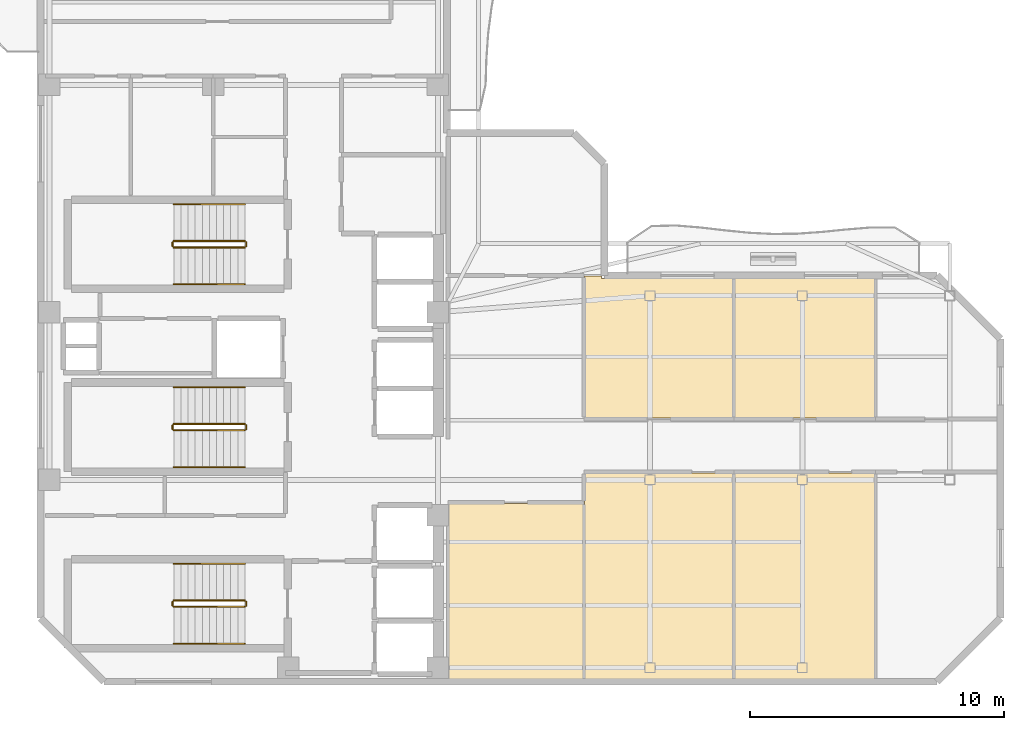
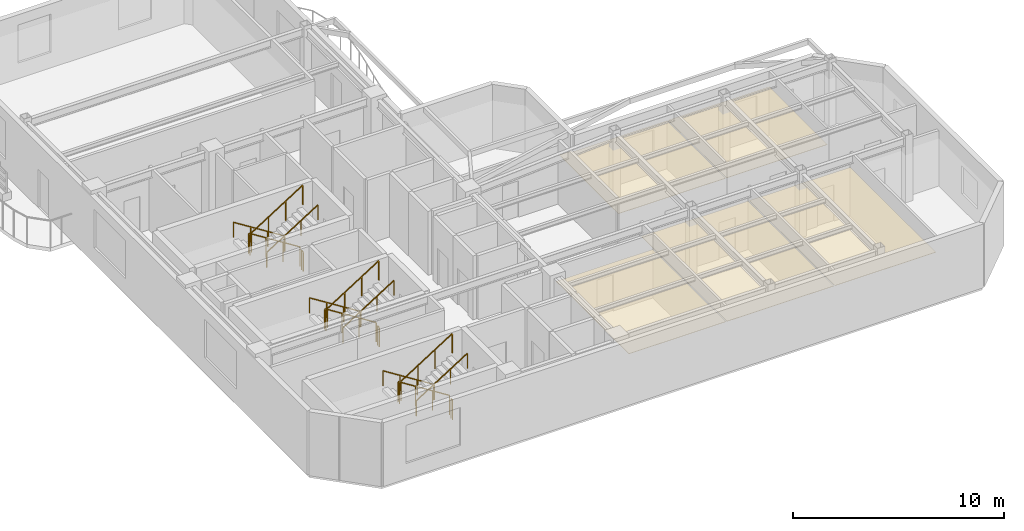
# One storey, part 6 of 7: 18 railings, 5 coverings.
"""IFC4 building model written with IfcOpenShell, lengths in metres."""

from ifc_helpers import new_model, si_unit, direction, frame, origin, origin_2d, place, context, subcontext, project, spatial, polyline, rectangle, outline, extrude, material, layer, layer_set, type_object, element, save


model = new_model("IFC4")

# Units and contexts
model_context = context("Model", 3, precision=1e-05, world=origin(), true_north=direction((0.0, 1.0)))
body_context = subcontext(model_context, "Body", "Model", "MODEL_VIEW")
ifc_project = project(units=[si_unit("LENGTHUNIT", "METRE"), si_unit("AREAUNIT", "SQUARE_METRE"), si_unit("VOLUMEUNIT", "CUBIC_METRE"), si_unit("PLANEANGLEUNIT", "RADIAN"), si_unit("MASSUNIT", "GRAM", prefix="KILO")], contexts=[model_context])

# Site, building, storey
site_placement = place(None, origin())
site = spatial("IfcSite", under=ifc_project, at=site_placement, CompositionType="ELEMENT")
building_placement = place(site_placement, origin())
building = spatial("IfcBuilding", under=site, at=building_placement, Name="Mawjaban Terraces University", CompositionType="ELEMENT")
storey_placement = place(building_placement, frame((0.0, 0.0, 291.10009765625)))
storey = spatial("IfcBuildingStorey", under=building, at=storey_placement, Name="L71", CompositionType="ELEMENT", Elevation=291.10009765625)

# Coverings
ifc_material_1 = material(Name="Acoustic mineral fibre ceiling tile", Category="masonry")
ifc_layer = layer(ifc_material_1, 0.02001953125)
ifc_layer_set = layer_set([ifc_layer], Name="Acoustic mineral fibre ceiling tile")
covering_type = type_object("IfcCoveringType", Name="AcousticMineralCeiling_20", PredefinedType="CEILING", material=ifc_layer_set)
covering_1_placement = place(storey_placement, frame((0.0, 0.0, 2.75)))
element("IfcCovering", 1, at=covering_1_placement, inside=storey, type_object=covering_type, Name="L71 Collaborative Study Room 1 Acoustic Ceiling", PredefinedType="CEILING", context=body_context, shape_type="SweptSolid", body=[
    extrude(outline(polyline([(38.080078125, 7.02001953125), (38.080078125, 0.114990234375), (43.3701171875, 0.114990234375), (43.3701171875, 7.02001953125), (38.080078125, 7.02001953125)])), origin(), (0.0, 0.0, 1.0), 0.02001953125),
])
covering_2_placement = place(storey_placement, frame((0.0, 0.0, 2.75)))
element("IfcCovering", 2, at=covering_2_placement, inside=storey, type_object=covering_type, Name="L71 Graduate Study Lounge 2 Acoustic Ceiling", PredefinedType="CEILING", context=body_context, shape_type="SweptSolid", body=[
    extrude(outline(polyline([(43.429931640625, 0.114990234375), (49.27392578125, 0.114990234375), (49.27392578125, 8.219970703125), (43.429931640625, 8.219970703125), (43.429931640625, 0.114990234375)])), origin(), (0.0, 0.0, 1.0), 0.02001953125),
])
covering_3_placement = place(storey_placement, frame((0.0, 0.0, 2.75)))
element("IfcCovering", 3, at=covering_3_placement, inside=storey, type_object=covering_type, Name="L71 Collaborative Study Room 3 Acoustic Ceiling", PredefinedType="CEILING", context=body_context, shape_type="SweptSolid", body=[
    extrude(outline(polyline([(49.27392578125, 15.885009765625), (44.0849609375, 15.885009765625), (44.0849609375, 15.969970703125), (43.429931640625, 15.969970703125), (43.429931640625, 10.3798828125), (49.27392578125, 10.3798828125), (49.27392578125, 15.885009765625)])), origin(), (0.0, 0.0, 1.0), 0.02001953125),
])
covering_4_placement = place(storey_placement, frame((0.0, 0.0, 2.75)))
element("IfcCovering", 4, at=covering_4_placement, inside=storey, type_object=covering_type, Name="L71 Graduate Study Lounge 4 Acoustic Ceiling", PredefinedType="CEILING", context=body_context, shape_type="SweptSolid", body=[
    extrude(outline(polyline([(49.333984375, 0.114990234375), (54.85009765625, 0.114990234375), (54.85009765625, 8.219970703125), (49.333984375, 8.219970703125), (49.333984375, 0.114990234375)])), origin(), (0.0, 0.0, 1.0), 0.02001953125),
])
covering_5_placement = place(storey_placement, frame((0.0, 0.0, 2.75)))
element("IfcCovering", 5, at=covering_5_placement, inside=storey, type_object=covering_type, Name="L71 Collaborative Study Room 5 Acoustic Ceiling", PredefinedType="CEILING", context=body_context, shape_type="SweptSolid", body=[
    extrude(outline(polyline([(54.85009765625, 15.885009765625), (49.333984375, 15.885009765625), (49.333984375, 10.3798828125), (54.85009765625, 10.3798828125), (54.85009765625, 15.885009765625)])), origin(), (0.0, 0.0, 1.0), 0.02001953125),
])

# Railings
ifc_material_2 = material(Name="Brushed stainless steel 316", Category="steel")
railing_type_1 = type_object("IfcRailingType", Name="StairWallHandrail_900", PredefinedType="HANDRAIL", material=ifc_material_2)
railing_1_placement = place(storey_placement, frame((30.050048828125, 4.64990234375, 0.17724609375)))
element("IfcRailing", 6, at=railing_1_placement, inside=storey, type_object=railing_type_1, Name="L71 ST-1 stair handrail 1", PredefinedType="HANDRAIL", context=body_context, shape_type="SweptSolid", body=[
    extrude(rectangle(XDim=0.048095703125, YDim=0.048095703125, at=origin_2d()), frame((0.0, 0.0, 0.8759765625), z_axis=(-0.844908973607, 0.0, 0.534910110503), x_axis=(0.0, -1.0, 0.0)), (0.0, 0.0, 1.0), 3.31396484375),
    extrude(rectangle(XDim=0.0419921875, YDim=0.0419921875, at=origin_2d()), origin(), (0.0, 0.0, 1.0), 0.851806640625),
    extrude(rectangle(XDim=0.0419921875, YDim=0.0419921875, at=origin_2d()), frame((-0.933349609375, 0.0, 0.5908203125)), (0.0, 0.0, 1.0), 0.851806640625),
    extrude(rectangle(XDim=0.0419921875, YDim=0.0419921875, at=origin_2d()), frame((-1.86669921875, 0.0, 1.181884765625)), (0.0, 0.0, 1.0), 0.851806640625),
    extrude(rectangle(XDim=0.0419921875, YDim=0.0419921875, at=origin_2d()), frame((-2.800048828125, 0.0, 1.772705078125)), (0.0, 0.0, 1.0), 0.851806640625),
])
railing_2_placement = place(storey_placement, frame((27.25, 1.5, 2.127197265625)))
element("IfcRailing", 7, at=railing_2_placement, inside=storey, type_object=railing_type_1, Name="L71 ST-1 stair handrail 2", PredefinedType="HANDRAIL", context=body_context, shape_type="SweptSolid", body=[
    extrude(rectangle(XDim=0.048095703125, YDim=0.048095703125, at=origin_2d()), frame((0.0, 0.0, 0.8759765625), z_axis=(0.844908973607, 0.0, 0.534910110503), x_axis=(0.0, 1.0, 0.0)), (0.0, 0.0, 1.0), 3.31396484375),
    extrude(rectangle(XDim=0.0419921875, YDim=0.0419921875, at=origin_2d()), origin(), (0.0, 0.0, 1.0), 0.851806640625),
    extrude(rectangle(XDim=0.0419921875, YDim=0.0419921875, at=origin_2d()), frame((0.933349609375, 0.0, 0.5908203125)), (0.0, 0.0, 1.0), 0.851806640625),
    extrude(rectangle(XDim=0.0419921875, YDim=0.0419921875, at=origin_2d()), frame((1.86669921875, 0.0, 1.181884765625)), (0.0, 0.0, 1.0), 0.851806640625),
    extrude(rectangle(XDim=0.0419921875, YDim=0.0419921875, at=origin_2d()), frame((2.800048828125, 0.0, 1.772705078125)), (0.0, 0.0, 1.0), 0.851806640625),
])
railing_3_placement = place(storey_placement, frame((30.050048828125, 18.800048828125, 0.17724609375)))
element("IfcRailing", 8, at=railing_3_placement, inside=storey, type_object=railing_type_1, Name="L71 ST-2 stair handrail 1", PredefinedType="HANDRAIL", context=body_context, shape_type="SweptSolid", body=[
    extrude(rectangle(XDim=0.048095703125, YDim=0.048095703125, at=origin_2d()), frame((0.0, 0.0, 0.8759765625), z_axis=(-0.844908973607, 0.0, 0.534910110503), x_axis=(0.0, -1.0, 0.0)), (0.0, 0.0, 1.0), 3.31396484375),
    extrude(rectangle(XDim=0.0419921875, YDim=0.0419921875, at=origin_2d()), origin(), (0.0, 0.0, 1.0), 0.851806640625),
    extrude(rectangle(XDim=0.0419921875, YDim=0.0419921875, at=origin_2d()), frame((-0.933349609375, 0.0, 0.5908203125)), (0.0, 0.0, 1.0), 0.851806640625),
    extrude(rectangle(XDim=0.0419921875, YDim=0.0419921875, at=origin_2d()), frame((-1.86669921875, 0.0, 1.181884765625)), (0.0, 0.0, 1.0), 0.851806640625),
    extrude(rectangle(XDim=0.0419921875, YDim=0.0419921875, at=origin_2d()), frame((-2.800048828125, 0.0, 1.772705078125)), (0.0, 0.0, 1.0), 0.851806640625),
])
railing_4_placement = place(storey_placement, frame((27.25, 15.64990234375, 2.127197265625)))
element("IfcRailing", 9, at=railing_4_placement, inside=storey, type_object=railing_type_1, Name="L71 ST-2 stair handrail 2", PredefinedType="HANDRAIL", context=body_context, shape_type="SweptSolid", body=[
    extrude(rectangle(XDim=0.048095703125, YDim=0.048095703125, at=origin_2d()), frame((0.0, 0.0, 0.8759765625), z_axis=(0.844908973607, 0.0, 0.534910110503), x_axis=(0.0, 1.0, 0.0)), (0.0, 0.0, 1.0), 3.31396484375),
    extrude(rectangle(XDim=0.0419921875, YDim=0.0419921875, at=origin_2d()), origin(), (0.0, 0.0, 1.0), 0.851806640625),
    extrude(rectangle(XDim=0.0419921875, YDim=0.0419921875, at=origin_2d()), frame((0.933349609375, 0.0, 0.5908203125)), (0.0, 0.0, 1.0), 0.851806640625),
    extrude(rectangle(XDim=0.0419921875, YDim=0.0419921875, at=origin_2d()), frame((1.86669921875, 0.0, 1.181884765625)), (0.0, 0.0, 1.0), 0.851806640625),
    extrude(rectangle(XDim=0.0419921875, YDim=0.0419921875, at=origin_2d()), frame((2.800048828125, 0.0, 1.772705078125)), (0.0, 0.0, 1.0), 0.851806640625),
])
railing_5_placement = place(storey_placement, frame((30.050048828125, 11.60009765625, 0.17724609375)))
element("IfcRailing", 10, at=railing_5_placement, inside=storey, type_object=railing_type_1, Name="L71 ST-3 stair handrail 1", PredefinedType="HANDRAIL", context=body_context, shape_type="SweptSolid", body=[
    extrude(rectangle(XDim=0.048095703125, YDim=0.048095703125, at=origin_2d()), frame((0.0, 0.0, 0.8759765625), z_axis=(-0.844908973607, 0.0, 0.534910110503), x_axis=(0.0, -1.0, 0.0)), (0.0, 0.0, 1.0), 3.31396484375),
    extrude(rectangle(XDim=0.0419921875, YDim=0.0419921875, at=origin_2d()), origin(), (0.0, 0.0, 1.0), 0.851806640625),
    extrude(rectangle(XDim=0.0419921875, YDim=0.0419921875, at=origin_2d()), frame((-0.933349609375, 0.0, 0.5908203125)), (0.0, 0.0, 1.0), 0.851806640625),
    extrude(rectangle(XDim=0.0419921875, YDim=0.0419921875, at=origin_2d()), frame((-1.86669921875, 0.0, 1.181884765625)), (0.0, 0.0, 1.0), 0.851806640625),
    extrude(rectangle(XDim=0.0419921875, YDim=0.0419921875, at=origin_2d()), frame((-2.800048828125, 0.0, 1.772705078125)), (0.0, 0.0, 1.0), 0.851806640625),
])
railing_6_placement = place(storey_placement, frame((27.25, 8.449951171875, 2.127197265625)))
element("IfcRailing", 11, at=railing_6_placement, inside=storey, type_object=railing_type_1, Name="L71 ST-3 stair handrail 2", PredefinedType="HANDRAIL", context=body_context, shape_type="SweptSolid", body=[
    extrude(rectangle(XDim=0.048095703125, YDim=0.048095703125, at=origin_2d()), frame((0.0, 0.0, 0.8759765625), z_axis=(0.844908973607, 0.0, 0.534910110503), x_axis=(0.0, 1.0, 0.0)), (0.0, 0.0, 1.0), 3.31396484375),
    extrude(rectangle(XDim=0.0419921875, YDim=0.0419921875, at=origin_2d()), origin(), (0.0, 0.0, 1.0), 0.851806640625),
    extrude(rectangle(XDim=0.0419921875, YDim=0.0419921875, at=origin_2d()), frame((0.933349609375, 0.0, 0.5908203125)), (0.0, 0.0, 1.0), 0.851806640625),
    extrude(rectangle(XDim=0.0419921875, YDim=0.0419921875, at=origin_2d()), frame((1.86669921875, 0.0, 1.181884765625)), (0.0, 0.0, 1.0), 0.851806640625),
    extrude(rectangle(XDim=0.0419921875, YDim=0.0419921875, at=origin_2d()), frame((2.800048828125, 0.0, 1.772705078125)), (0.0, 0.0, 1.0), 0.851806640625),
])
ifc_material_3 = material(Name="Galvanised painted steel S355", Category="steel")
railing_type_2 = type_object("IfcRailingType", Name="StairWellGuard_1150", PredefinedType="BALUSTRADE", material=ifc_material_3)
railing_7_placement = place(storey_placement, frame((30.050048828125, 3.199951171875, 0.17724609375)))
element("IfcRailing", 12, at=railing_7_placement, inside=storey, type_object=railing_type_2, Name="L71 ST-1 stair guard 1", PredefinedType="BALUSTRADE", context=body_context, shape_type="SweptSolid", body=[
    extrude(rectangle(XDim=0.048095703125, YDim=0.048095703125, at=origin_2d()), frame((0.0, 0.0, 1.1259765625), z_axis=(-0.844908973607, 0.0, 0.534910110503), x_axis=(0.0, -1.0, 0.0)), (0.0, 0.0, 1.0), 3.31396484375),
    extrude(rectangle(XDim=0.0419921875, YDim=0.0419921875, at=origin_2d()), origin(), (0.0, 0.0, 1.0), 1.101806640625),
    extrude(rectangle(XDim=0.0419921875, YDim=0.0419921875, at=origin_2d()), frame((-0.933349609375, 0.0, 0.5908203125)), (0.0, 0.0, 1.0), 1.101806640625),
    extrude(rectangle(XDim=0.0419921875, YDim=0.0419921875, at=origin_2d()), frame((-1.86669921875, 0.0, 1.181884765625)), (0.0, 0.0, 1.0), 1.101806640625),
    extrude(rectangle(XDim=0.0419921875, YDim=0.0419921875, at=origin_2d()), frame((-2.800048828125, 0.0, 1.772705078125)), (0.0, 0.0, 1.0), 1.101806640625),
])
railing_8_placement = place(storey_placement, frame((27.199951171875, 3.14990234375, 1.949951171875)))
element("IfcRailing", 13, at=railing_8_placement, inside=storey, type_object=railing_type_2, Name="L71 ST-1 stair guard 2", PredefinedType="BALUSTRADE", context=body_context, shape_type="SweptSolid", body=[
    extrude(rectangle(XDim=0.048095703125, YDim=0.048095703125, at=origin_2d()), frame((0.0, 0.0, 1.1259765625), z_axis=(0.0, -1.0, 0.0), x_axis=(1.0, 0.0, 0.0)), (0.0, 0.0, 1.0), 0.14990234375),
    extrude(rectangle(XDim=0.0419921875, YDim=0.0419921875, at=origin_2d()), origin(), (0.0, 0.0, 1.0), 1.101806640625),
    extrude(rectangle(XDim=0.0419921875, YDim=0.0419921875, at=origin_2d()), frame((0.0, -0.14990234375, 0.0)), (0.0, 0.0, 1.0), 1.101806640625),
])
railing_9_placement = place(storey_placement, frame((27.25, 2.949951171875, 2.127197265625)))
element("IfcRailing", 14, at=railing_9_placement, inside=storey, type_object=railing_type_2, Name="L71 ST-1 stair guard 3", PredefinedType="BALUSTRADE", context=body_context, shape_type="SweptSolid", body=[
    extrude(rectangle(XDim=0.048095703125, YDim=0.048095703125, at=origin_2d()), frame((0.0, 0.0, 1.1259765625), z_axis=(0.844908973607, 0.0, 0.534910110503), x_axis=(0.0, 1.0, 0.0)), (0.0, 0.0, 1.0), 3.31396484375),
    extrude(rectangle(XDim=0.0419921875, YDim=0.0419921875, at=origin_2d()), origin(), (0.0, 0.0, 1.0), 1.101806640625),
    extrude(rectangle(XDim=0.0419921875, YDim=0.0419921875, at=origin_2d()), frame((0.933349609375, 0.0, 0.5908203125)), (0.0, 0.0, 1.0), 1.101806640625),
    extrude(rectangle(XDim=0.0419921875, YDim=0.0419921875, at=origin_2d()), frame((1.86669921875, 0.0, 1.181884765625)), (0.0, 0.0, 1.0), 1.101806640625),
    extrude(rectangle(XDim=0.0419921875, YDim=0.0419921875, at=origin_2d()), frame((2.800048828125, 0.0, 1.772705078125)), (0.0, 0.0, 1.0), 1.101806640625),
])
railing_10_placement = place(storey_placement, frame((30.10009765625, 3.14990234375, 0.0)))
element("IfcRailing", 15, at=railing_10_placement, inside=storey, type_object=railing_type_2, Name="L71 ST-1 stair guard 4", PredefinedType="BALUSTRADE", context=body_context, shape_type="SweptSolid", body=[
    extrude(rectangle(XDim=0.048095703125, YDim=0.048095703125, at=origin_2d()), frame((0.0, 0.0, 1.1259765625), z_axis=(0.0, -1.0, 0.0), x_axis=(1.0, 0.0, 0.0)), (0.0, 0.0, 1.0), 0.14990234375),
    extrude(rectangle(XDim=0.0419921875, YDim=0.0419921875, at=origin_2d()), origin(), (0.0, 0.0, 1.0), 1.101806640625),
    extrude(rectangle(XDim=0.0419921875, YDim=0.0419921875, at=origin_2d()), frame((0.0, -0.14990234375, 0.0)), (0.0, 0.0, 1.0), 1.101806640625),
])
railing_11_placement = place(storey_placement, frame((30.050048828125, 17.35009765625, 0.17724609375)))
element("IfcRailing", 16, at=railing_11_placement, inside=storey, type_object=railing_type_2, Name="L71 ST-2 stair guard 1", PredefinedType="BALUSTRADE", context=body_context, shape_type="SweptSolid", body=[
    extrude(rectangle(XDim=0.048095703125, YDim=0.048095703125, at=origin_2d()), frame((0.0, 0.0, 1.1259765625), z_axis=(-0.844908973607, 0.0, 0.534910110503), x_axis=(0.0, -1.0, 0.0)), (0.0, 0.0, 1.0), 3.31396484375),
    extrude(rectangle(XDim=0.0419921875, YDim=0.0419921875, at=origin_2d()), origin(), (0.0, 0.0, 1.0), 1.101806640625),
    extrude(rectangle(XDim=0.0419921875, YDim=0.0419921875, at=origin_2d()), frame((-0.933349609375, 0.0, 0.5908203125)), (0.0, 0.0, 1.0), 1.101806640625),
    extrude(rectangle(XDim=0.0419921875, YDim=0.0419921875, at=origin_2d()), frame((-1.86669921875, 0.0, 1.181884765625)), (0.0, 0.0, 1.0), 1.101806640625),
    extrude(rectangle(XDim=0.0419921875, YDim=0.0419921875, at=origin_2d()), frame((-2.800048828125, 0.0, 1.772705078125)), (0.0, 0.0, 1.0), 1.101806640625),
])
railing_12_placement = place(storey_placement, frame((27.199951171875, 17.300048828125, 1.949951171875)))
element("IfcRailing", 17, at=railing_12_placement, inside=storey, type_object=railing_type_2, Name="L71 ST-2 stair guard 2", PredefinedType="BALUSTRADE", context=body_context, shape_type="SweptSolid", body=[
    extrude(rectangle(XDim=0.048095703125, YDim=0.048095703125, at=origin_2d()), frame((0.0, 0.0, 1.1259765625), z_axis=(0.0, -1.0, 0.0), x_axis=(1.0, 0.0, 0.0)), (0.0, 0.0, 1.0), 0.150146484375),
    extrude(rectangle(XDim=0.0419921875, YDim=0.0419921875, at=origin_2d()), origin(), (0.0, 0.0, 1.0), 1.101806640625),
    extrude(rectangle(XDim=0.0419921875, YDim=0.0419921875, at=origin_2d()), frame((0.0, -0.150146484375, 0.0)), (0.0, 0.0, 1.0), 1.101806640625),
])
railing_13_placement = place(storey_placement, frame((27.25, 17.10009765625, 2.127197265625)))
element("IfcRailing", 18, at=railing_13_placement, inside=storey, type_object=railing_type_2, Name="L71 ST-2 stair guard 3", PredefinedType="BALUSTRADE", context=body_context, shape_type="SweptSolid", body=[
    extrude(rectangle(XDim=0.048095703125, YDim=0.048095703125, at=origin_2d()), frame((0.0, 0.0, 1.1259765625), z_axis=(0.844908973607, 0.0, 0.534910110503), x_axis=(0.0, 1.0, 0.0)), (0.0, 0.0, 1.0), 3.31396484375),
    extrude(rectangle(XDim=0.0419921875, YDim=0.0419921875, at=origin_2d()), origin(), (0.0, 0.0, 1.0), 1.101806640625),
    extrude(rectangle(XDim=0.0419921875, YDim=0.0419921875, at=origin_2d()), frame((0.933349609375, 0.0, 0.5908203125)), (0.0, 0.0, 1.0), 1.101806640625),
    extrude(rectangle(XDim=0.0419921875, YDim=0.0419921875, at=origin_2d()), frame((1.86669921875, 0.0, 1.181884765625)), (0.0, 0.0, 1.0), 1.101806640625),
    extrude(rectangle(XDim=0.0419921875, YDim=0.0419921875, at=origin_2d()), frame((2.800048828125, 0.0, 1.772705078125)), (0.0, 0.0, 1.0), 1.101806640625),
])
railing_14_placement = place(storey_placement, frame((30.10009765625, 17.300048828125, 0.0)))
element("IfcRailing", 19, at=railing_14_placement, inside=storey, type_object=railing_type_2, Name="L71 ST-2 stair guard 4", PredefinedType="BALUSTRADE", context=body_context, shape_type="SweptSolid", body=[
    extrude(rectangle(XDim=0.048095703125, YDim=0.048095703125, at=origin_2d()), frame((0.0, 0.0, 1.1259765625), z_axis=(0.0, -1.0, 0.0), x_axis=(1.0, 0.0, 0.0)), (0.0, 0.0, 1.0), 0.150146484375),
    extrude(rectangle(XDim=0.0419921875, YDim=0.0419921875, at=origin_2d()), origin(), (0.0, 0.0, 1.0), 1.101806640625),
    extrude(rectangle(XDim=0.0419921875, YDim=0.0419921875, at=origin_2d()), frame((0.0, -0.150146484375, 0.0)), (0.0, 0.0, 1.0), 1.101806640625),
])
railing_15_placement = place(storey_placement, frame((30.050048828125, 10.14990234375, 0.17724609375)))
element("IfcRailing", 20, at=railing_15_placement, inside=storey, type_object=railing_type_2, Name="L71 ST-3 stair guard 1", PredefinedType="BALUSTRADE", context=body_context, shape_type="SweptSolid", body=[
    extrude(rectangle(XDim=0.048095703125, YDim=0.048095703125, at=origin_2d()), frame((0.0, 0.0, 1.1259765625), z_axis=(-0.844908973607, 0.0, 0.534910110503), x_axis=(0.0, -1.0, 0.0)), (0.0, 0.0, 1.0), 3.31396484375),
    extrude(rectangle(XDim=0.0419921875, YDim=0.0419921875, at=origin_2d()), origin(), (0.0, 0.0, 1.0), 1.101806640625),
    extrude(rectangle(XDim=0.0419921875, YDim=0.0419921875, at=origin_2d()), frame((-0.933349609375, 0.0, 0.5908203125)), (0.0, 0.0, 1.0), 1.101806640625),
    extrude(rectangle(XDim=0.0419921875, YDim=0.0419921875, at=origin_2d()), frame((-1.86669921875, 0.0, 1.181884765625)), (0.0, 0.0, 1.0), 1.101806640625),
    extrude(rectangle(XDim=0.0419921875, YDim=0.0419921875, at=origin_2d()), frame((-2.800048828125, 0.0, 1.772705078125)), (0.0, 0.0, 1.0), 1.101806640625),
])
railing_16_placement = place(storey_placement, frame((27.199951171875, 10.10009765625, 1.949951171875)))
element("IfcRailing", 21, at=railing_16_placement, inside=storey, type_object=railing_type_2, Name="L71 ST-3 stair guard 2", PredefinedType="BALUSTRADE", context=body_context, shape_type="SweptSolid", body=[
    extrude(rectangle(XDim=0.048095703125, YDim=0.048095703125, at=origin_2d()), frame((0.0, 0.0, 1.1259765625), z_axis=(0.0, -1.0, 0.0), x_axis=(1.0, 0.0, 0.0)), (0.0, 0.0, 1.0), 0.150146484375),
    extrude(rectangle(XDim=0.0419921875, YDim=0.0419921875, at=origin_2d()), origin(), (0.0, 0.0, 1.0), 1.101806640625),
    extrude(rectangle(XDim=0.0419921875, YDim=0.0419921875, at=origin_2d()), frame((0.0, -0.150146484375, 0.0)), (0.0, 0.0, 1.0), 1.101806640625),
])
railing_17_placement = place(storey_placement, frame((27.25, 9.89990234375, 2.127197265625)))
element("IfcRailing", 22, at=railing_17_placement, inside=storey, type_object=railing_type_2, Name="L71 ST-3 stair guard 3", PredefinedType="BALUSTRADE", context=body_context, shape_type="SweptSolid", body=[
    extrude(rectangle(XDim=0.048095703125, YDim=0.048095703125, at=origin_2d()), frame((0.0, 0.0, 1.1259765625), z_axis=(0.844908973607, 0.0, 0.534910110503), x_axis=(0.0, 1.0, 0.0)), (0.0, 0.0, 1.0), 3.31396484375),
    extrude(rectangle(XDim=0.0419921875, YDim=0.0419921875, at=origin_2d()), origin(), (0.0, 0.0, 1.0), 1.101806640625),
    extrude(rectangle(XDim=0.0419921875, YDim=0.0419921875, at=origin_2d()), frame((0.933349609375, 0.0, 0.5908203125)), (0.0, 0.0, 1.0), 1.101806640625),
    extrude(rectangle(XDim=0.0419921875, YDim=0.0419921875, at=origin_2d()), frame((1.86669921875, 0.0, 1.181884765625)), (0.0, 0.0, 1.0), 1.101806640625),
    extrude(rectangle(XDim=0.0419921875, YDim=0.0419921875, at=origin_2d()), frame((2.800048828125, 0.0, 1.772705078125)), (0.0, 0.0, 1.0), 1.101806640625),
])
railing_18_placement = place(storey_placement, frame((30.10009765625, 10.10009765625, 0.0)))
element("IfcRailing", 23, at=railing_18_placement, inside=storey, type_object=railing_type_2, Name="L71 ST-3 stair guard 4", PredefinedType="BALUSTRADE", context=body_context, shape_type="SweptSolid", body=[
    extrude(rectangle(XDim=0.048095703125, YDim=0.048095703125, at=origin_2d()), frame((0.0, 0.0, 1.1259765625), z_axis=(0.0, -1.0, 0.0), x_axis=(1.0, 0.0, 0.0)), (0.0, 0.0, 1.0), 0.150146484375),
    extrude(rectangle(XDim=0.0419921875, YDim=0.0419921875, at=origin_2d()), origin(), (0.0, 0.0, 1.0), 1.101806640625),
    extrude(rectangle(XDim=0.0419921875, YDim=0.0419921875, at=origin_2d()), frame((0.0, -0.150146484375, 0.0)), (0.0, 0.0, 1.0), 1.101806640625),
])

save(model, "model.ifc")
